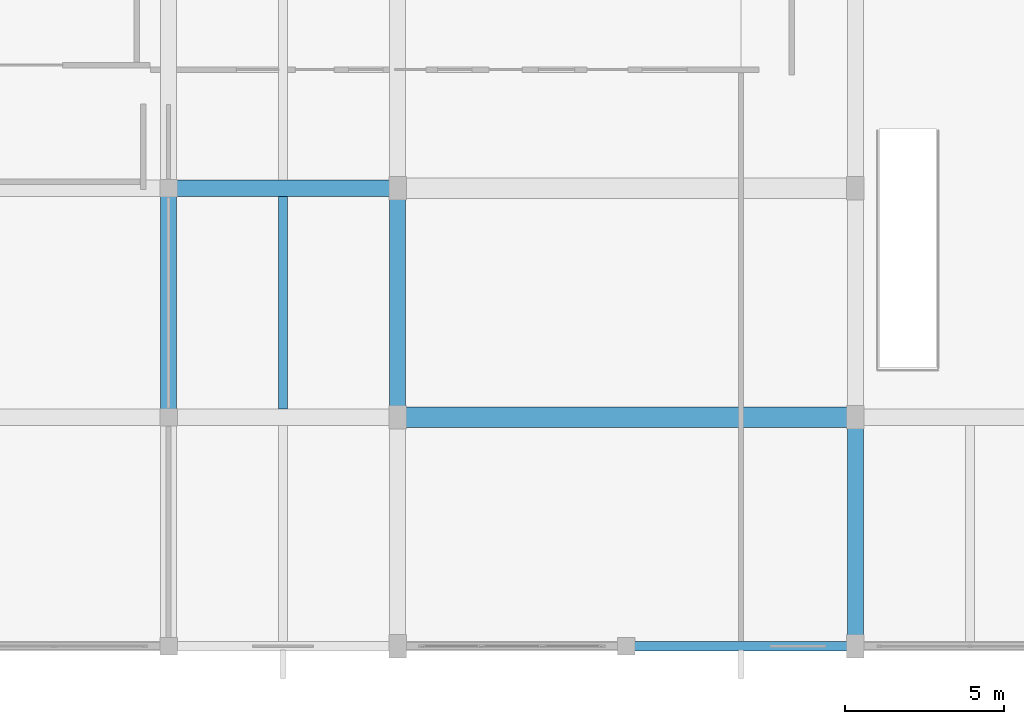
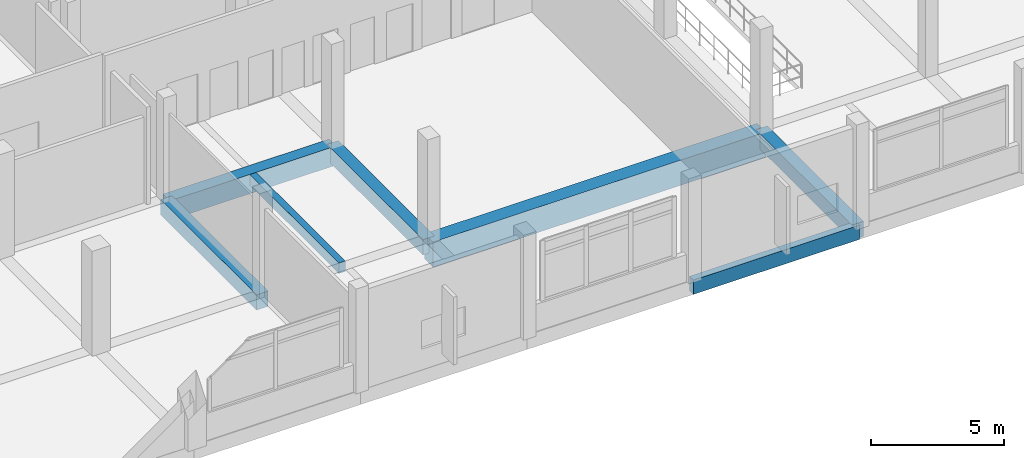
# One storey, part 82 of 140: 7 beams.
"""IFC4 building model written with IfcOpenShell, lengths in metres."""

from ifc_helpers import new_model, si_unit, direction, frame, origin, origin_2d, place, context, subcontext, project, spatial, rectangle, extrude, material, material_profile, profile_set, type_object, element, save


model = new_model("IFC4")

# Units and contexts
model_context = context("Model", 3, precision=1e-05, world=origin(), true_north=direction((0.0, 1.0)))
body_context = subcontext(model_context, "Body", "Model", "MODEL_VIEW")
ifc_project = project(units=[si_unit("LENGTHUNIT", "METRE"), si_unit("AREAUNIT", "SQUARE_METRE"), si_unit("VOLUMEUNIT", "CUBIC_METRE"), si_unit("PLANEANGLEUNIT", "RADIAN"), si_unit("MASSUNIT", "GRAM", prefix="KILO")], contexts=[model_context])

# Site, building, storey
site_placement = place(None, origin())
site = spatial("IfcSite", under=ifc_project, at=site_placement, CompositionType="ELEMENT")
building_placement = place(site_placement, origin())
building = spatial("IfcBuilding", under=site, at=building_placement, Name="Seraya Terrace Polytechnic", CompositionType="ELEMENT")
storey_placement = place(building_placement, frame((0.0, 0.0, 9.60009765625)))
storey = spatial("IfcBuildingStorey", under=building, at=storey_placement, Name="L02", CompositionType="ELEMENT", Elevation=9.60009765625)

# Beams
ifc_material = material(Name="Concrete C40/50", Category="concrete")
ifc_material_profile_1 = material_profile(ifc_material, rectangle(XDim=0.64990234375, YDim=1.14990234375, at=origin_2d()), Name="RC 650x1150")
ifc_profile_set_1 = profile_set([ifc_material_profile_1], Name="Concrete C40/50")
beam_type_1 = type_object("IfcBeamType", Name="BG-02", PredefinedType="USERDEFINED", material=ifc_profile_set_1)
beam_1_placement = place(storey_placement, frame((136.800048828125, 7.199951171875, -0.5751953125), z_axis=(1.0, 0.0, 0.0), x_axis=(0.0, 1.0, 0.0)))
element("IfcBeam", 1, at=beam_1_placement, inside=storey, type_object=beam_type_1, Name="Beam BG-02 L02 X (136.8..151.2, 7.2)", ObjectType="GIRDER", PredefinedType="USERDEFINED", context=body_context, shape_type="SweptSolid", body=[
    extrude(rectangle(XDim=0.64990234375, YDim=1.14990234375, at=origin_2d()), origin(), (0.0, 0.0, 1.0), 14.39990234375),
])
ifc_material_profile_2 = material_profile(ifc_material, rectangle(XDim=0.52001953125, YDim=0.8798828125, at=origin_2d()), Name="RC 520x880")
ifc_profile_set_2 = profile_set([ifc_material_profile_2], Name="Concrete C40/50")
beam_type_2 = type_object("IfcBeamType", Name="BM-04", PredefinedType="BEAM", material=ifc_profile_set_2)
beam_2_placement = place(storey_placement, frame((129.60009765625, 14.39990234375, -0.440185546875), z_axis=(1.0, 0.0, 0.0), x_axis=(0.0, 1.0, 0.0)))
element("IfcBeam", 2, at=beam_2_placement, inside=storey, type_object=beam_type_2, Name="Beam BM-04 L02 X (129.6..136.8, 14.4)", PredefinedType="BEAM", context=body_context, shape_type="SweptSolid", body=[
    extrude(rectangle(XDim=0.52001953125, YDim=0.8798828125, at=origin_2d()), origin(), (0.0, 0.0, 1.0), 7.199951171875),
])
ifc_material_profile_3 = material_profile(ifc_material, rectangle(XDim=0.5, YDim=0.699951171875, at=origin_2d()), Name="RC 500x700")
ifc_profile_set_3 = profile_set([ifc_material_profile_3], Name="Concrete C40/50")
beam_type_3 = type_object("IfcBeamType", Name="BM-07", PredefinedType="BEAM", material=ifc_profile_set_3)
for number, where, z_axis, x_axis, name in (
    (3, (129.60009765625, 7.199951171875, -0.35009765625), (0.0, 1.0, 0.0), (-1.0, 0.0, 0.0), "Beam BM-07 L02 Y (129.6, 7.2..14.4)"),
    (4, (136.800048828125, 7.199951171875, -0.35009765625), (0.0, 1.0, 0.0), (-1.0, 0.0, 0.0), "Beam BM-07 L02 Y (136.8, 7.2..14.4)"),
    (5, (151.199951171875, 0.0, -0.35009765625), (0.0, 1.0, 0.0), (-1.0, 0.0, 0.0), "Beam BM-07 L02 Y (151.2, 0.0..7.2)"),
):
    element("IfcBeam", number, at=place(storey_placement, frame(where, z_axis=z_axis, x_axis=x_axis)), inside=storey, type_object=beam_type_3, Name=name, PredefinedType="BEAM", context=body_context, shape_type="SweptSolid", body=[
        extrude(rectangle(XDim=0.5, YDim=0.699951171875, at=origin_2d()), origin(), (0.0, 0.0, 1.0), 7.199951171875),
    ])
ifc_material_profile_4 = material_profile(ifc_material, rectangle(XDim=0.280029296875, YDim=0.47998046875, at=origin_2d()), Name="RC 280x480")
ifc_profile_set_4 = profile_set([ifc_material_profile_4], Name="Concrete C40/50")
beam_type_4 = type_object("IfcBeamType", Name="JS-07", PredefinedType="JOIST", material=ifc_profile_set_4)
beam_3_placement = place(storey_placement, frame((133.199951171875, 7.4599609375, -0.239990234375), z_axis=(0.0, 1.0, 0.0), x_axis=(-1.0, 0.0, 0.0)))
element("IfcBeam", 6, at=beam_3_placement, inside=storey, type_object=beam_type_4, Name="Secondary joist JS-07 L02", PredefinedType="JOIST", context=body_context, shape_type="SweptSolid", body=[
    extrude(rectangle(XDim=0.280029296875, YDim=0.47998046875, at=origin_2d()), origin(), (0.0, 0.0, 1.0), 6.679931640625),
])
ifc_material_profile_5 = material_profile(ifc_material, rectangle(XDim=0.300048828125, YDim=0.64990234375, at=origin_2d()), Name="RC 300x650")
ifc_profile_set_5 = profile_set([ifc_material_profile_5], Name="Concrete C40/50")
beam_type_5 = type_object("IfcBeamType", Name="SP-01", PredefinedType="SPANDREL", material=ifc_profile_set_5)
beam_4_placement = place(storey_placement, frame((144.0, 0.0, -0.3251953125), z_axis=(1.0, 0.0, 0.0), x_axis=(0.0, 1.0, 0.0)))
element("IfcBeam", 7, at=beam_4_placement, inside=storey, type_object=beam_type_5, Name="Beam SP-01 L02 X (144.0..151.2, 0.0)", PredefinedType="SPANDREL", context=body_context, shape_type="SweptSolid", body=[
    extrude(rectangle(XDim=0.300048828125, YDim=0.64990234375, at=origin_2d()), origin(), (0.0, 0.0, 1.0), 7.199951171875),
])

save(model, "model.ifc")
